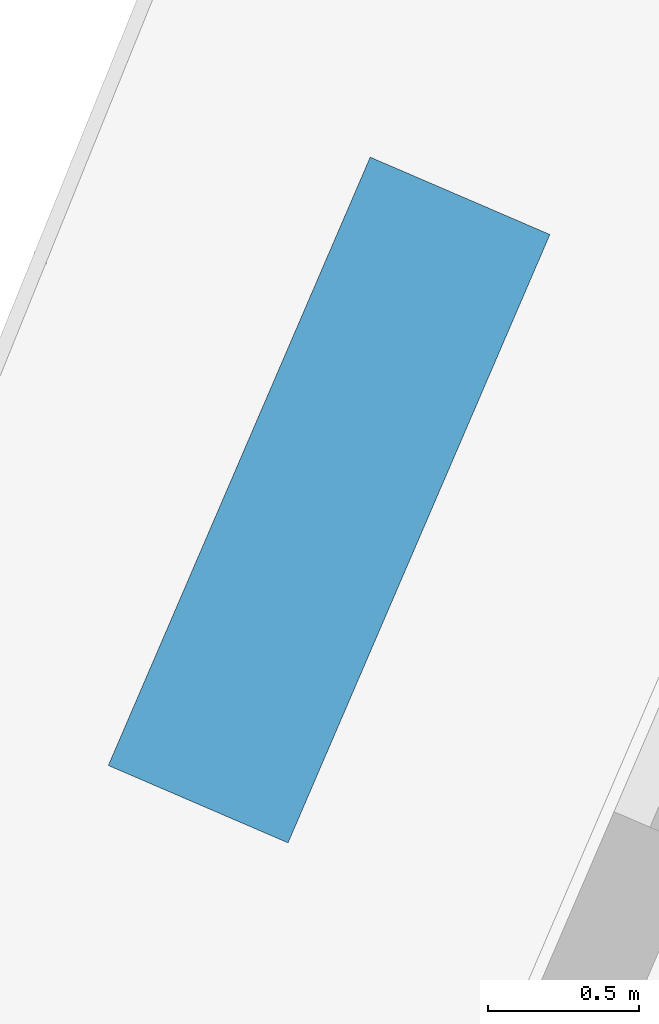
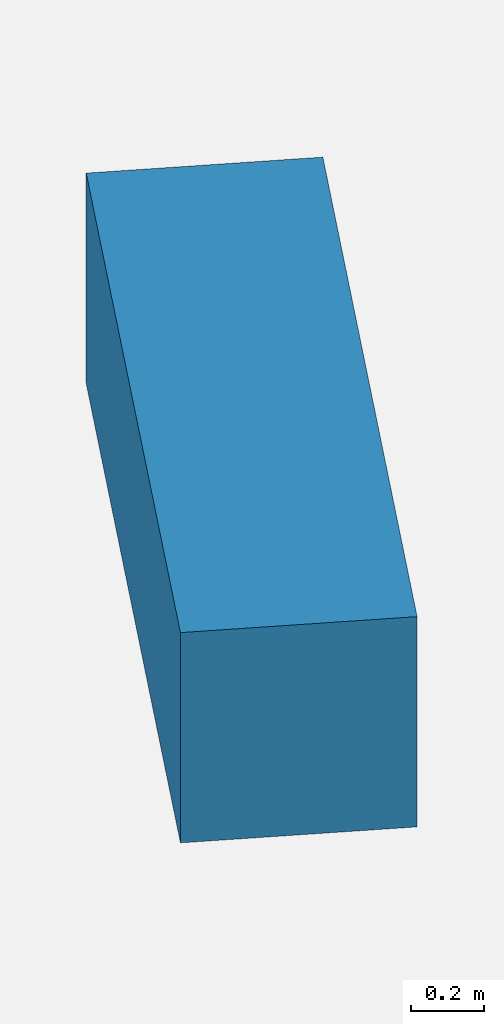
# One storey, part 16 of 21: 1 discrete accessory.
"""IFC4 building model written with IfcOpenShell, lengths in metres."""

from ifc_helpers import new_model, si_unit, direction, frame, origin, origin_2d, place, context, subcontext, project, spatial, rectangle, extrude, material, type_object, element, save


model = new_model("IFC4")

# Units and contexts
model_context = context("Model", 3, precision=1e-05, world=origin(), true_north=direction((0.0, 1.0)))
body_context = subcontext(model_context, "Body", "Model", "MODEL_VIEW")
ifc_project = project(units=[si_unit("LENGTHUNIT", "METRE"), si_unit("AREAUNIT", "SQUARE_METRE"), si_unit("VOLUMEUNIT", "CUBIC_METRE"), si_unit("PLANEANGLEUNIT", "RADIAN"), si_unit("MASSUNIT", "GRAM", prefix="KILO")], contexts=[model_context])

# Site, building, storey
site_placement = place(None, origin())
site = spatial("IfcSite", under=ifc_project, at=site_placement, CompositionType="ELEMENT")
building_placement = place(site_placement, origin())
building = spatial("IfcBuilding", under=site, at=building_placement, Name="Apsidion Concourse Tower", CompositionType="ELEMENT")
storey_placement = place(building_placement, frame((0.0, 0.0, 62.39990234375)))
storey = spatial("IfcBuildingStorey", under=building, at=storey_placement, Name="L13", CompositionType="ELEMENT", Elevation=62.39990234375)

# Discrete accessory
ifc_material = material(Name="Precast concrete C40/50", Category="concrete")
discrete_accessory_type = type_object("IfcDiscreteAccessoryType", Name="ACC-PLANTER-90", PredefinedType="USERDEFINED", material=ifc_material)
discrete_accessory_placement = place(storey_placement, frame((-15.72265625, 27.49365234375, 0.0), z_axis=(0.0, 0.0, 1.0), x_axis=(-0.395385197406, -0.918515403068, 0.0)))
element("IfcDiscreteAccessory", 1, at=discrete_accessory_placement, inside=storey, type_object=discrete_accessory_type, Name="L13 Spiral Sky-Terrace Planter 1", ObjectType="PLANTER", PredefinedType="USERDEFINED", context=body_context, shape_type="SweptSolid", body=[
    extrude(rectangle(XDim=2.199951171875, YDim=0.64990234375, at=origin_2d()), origin(), (0.0, 0.0, 1.0), 0.699951171875),
])

save(model, "model.ifc")
